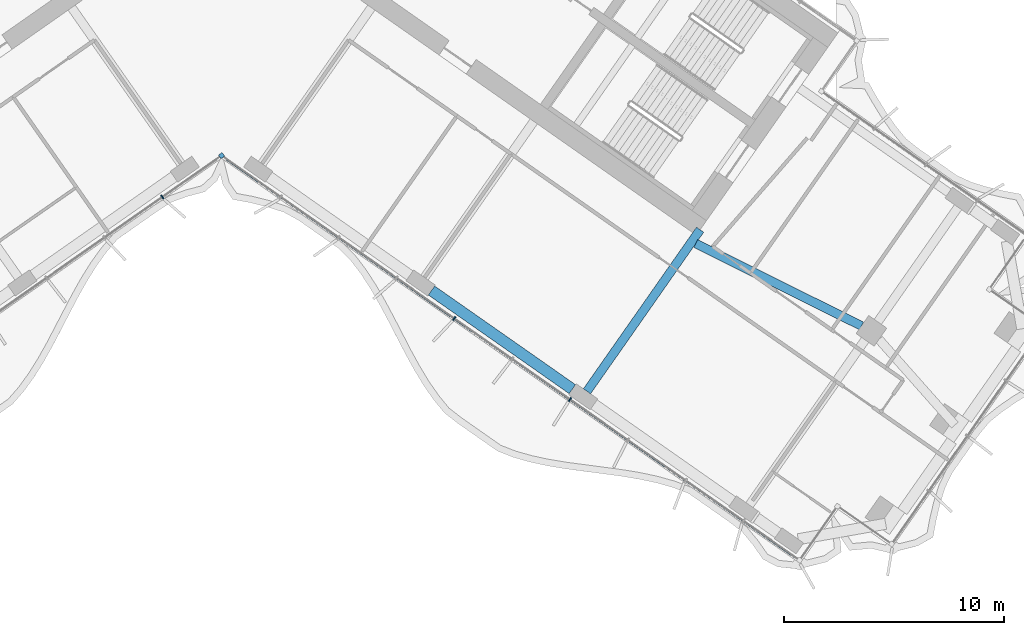
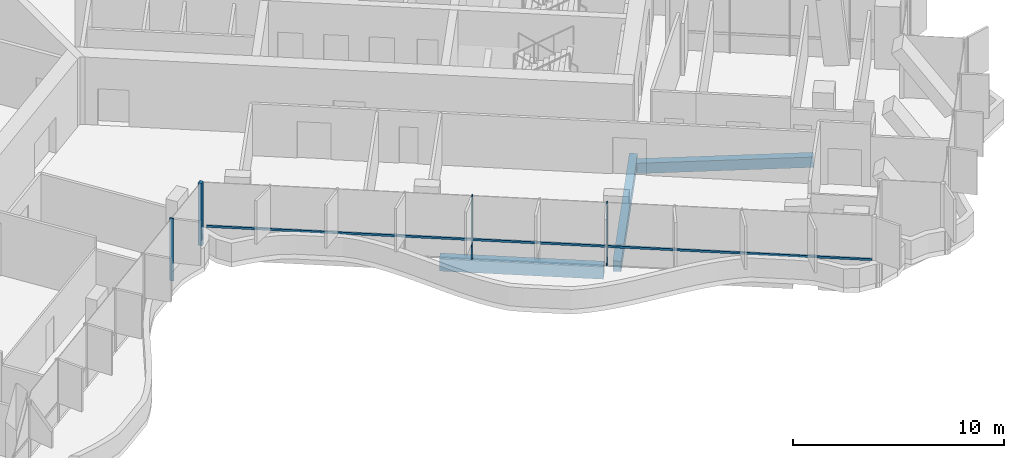
# One storey, part 6 of 23: 5 members, 3 beams, 1 element without a shape of its own.
"""IFC4 building model written with IfcOpenShell, lengths in metres."""

from ifc_helpers import new_model, si_unit, direction, frame, origin, origin_2d, place, context, subcontext, project, spatial, rectangle, extrude, material, material_profile, profile_set, type_object, element, aggregate, save


model = new_model("IFC4")

# Units and contexts
model_context = context("Model", 3, precision=1e-05, world=origin(), true_north=direction((0.0, 1.0)))
body_context = subcontext(model_context, "Body", "Model", "MODEL_VIEW")
ifc_project = project(units=[si_unit("LENGTHUNIT", "METRE"), si_unit("AREAUNIT", "SQUARE_METRE"), si_unit("VOLUMEUNIT", "CUBIC_METRE"), si_unit("PLANEANGLEUNIT", "RADIAN"), si_unit("MASSUNIT", "GRAM", prefix="KILO")], contexts=[model_context])

# Site, building, storey
site_placement = place(None, origin())
site = spatial("IfcSite", under=ifc_project, at=site_placement, CompositionType="ELEMENT")
building_placement = place(site_placement, origin())
building = spatial("IfcBuilding", under=site, at=building_placement, Name="Tel Ilan Convention Tower", CompositionType="ELEMENT")
storey_placement = place(building_placement, frame((0.0, 0.0, 186.60009765625)))
storey = spatial("IfcBuildingStorey", under=building, at=storey_placement, Name="L43", CompositionType="ELEMENT", Elevation=186.60009765625)

# Beams
ifc_material_1 = material(Name="Concrete C40/50", Category="concrete")
ifc_material_profile_1 = material_profile(ifc_material_1, rectangle(XDim=0.39990234375, YDim=0.60009765625, at=origin_2d()), Name="RC 400x600")
ifc_profile_set_1 = profile_set([ifc_material_profile_1], Name="Concrete C40/50")
beam_type_1 = type_object("IfcBeamType", Name="Beam RC 400x600 Concrete C40/50", PredefinedType="BEAM", material=ifc_profile_set_1)
beam_1_placement = place(storey_placement, frame((16.58203125, -23.391357421875, -0.580078125), z_axis=(0.573584999642, 0.819146048141, 0.0), x_axis=(-0.819146048141, 0.573584999642, 0.0)))
element("IfcBeam", 1, at=beam_1_placement, inside=storey, type_object=beam_type_1, Name="L43 beam E-E-F3-core", PredefinedType="BEAM", context=body_context, shape_type="SweptSolid", body=[
    extrude(rectangle(XDim=0.39990234375, YDim=0.60009765625, at=origin_2d()), origin(), (0.0, 0.0, 1.0), 8.949951171875),
])
beam_2_placement = place(storey_placement, frame((21.52099609375, -16.686279296875, -0.580078125), z_axis=(0.895402365524, -0.445257907076, 0.0), x_axis=(0.445257907076, 0.895402365524, 0.0)))
element("IfcBeam", 2, at=beam_2_placement, inside=storey, type_object=beam_type_1, Name="L43 beam E-core-E-M4", PredefinedType="BEAM", context=body_context, shape_type="SweptSolid", body=[
    extrude(rectangle(XDim=0.39990234375, YDim=0.60009765625, at=origin_2d()), origin(), (0.0, 0.0, 1.0), 8.3935546875),
])
ifc_material_2 = material(Name="Concrete C40/50", Category="concrete")
ifc_material_profile_2 = material_profile(ifc_material_2, rectangle(XDim=0.5, YDim=0.699951171875, at=origin_2d()), Name="RC 500x700")
ifc_profile_set_2 = profile_set([ifc_material_profile_2], Name="Concrete C40/50")
beam_type_2 = type_object("IfcBeamType", Name="Beam RC 500x700 Concrete C40/50", PredefinedType="BEAM", material=ifc_profile_set_2)
beam_3_placement = place(storey_placement, frame((9.529052734375, -18.819091796875, -0.630126953125), z_axis=(0.819153977895, -0.573573674866, 0.0), x_axis=(0.573573674866, 0.819153977895, 0.0)))
element("IfcBeam", 3, at=beam_3_placement, inside=storey, type_object=beam_type_2, Name="L43 beam E-E-F2-E-F3", PredefinedType="BEAM", context=body_context, shape_type="SweptSolid", body=[
    extrude(rectangle(XDim=0.5, YDim=0.699951171875, at=origin_2d()), origin(), (0.0, 0.0, 1.0), 7.800048828125),
])

# Curtain wall, members
ifc_material_3 = material(Name="Aluminium, bronze anodised", Category="aluminium")
curtain_wall_type = type_object("IfcCurtainWallType", Name="CW4 STICK CURTAIN WALL, OFFICE TINTED GLASS", PredefinedType="NOTDEFINED", material=ifc_material_3)
curtain_wall_placement = place(storey_placement, origin())
curtain_wall = element("IfcCurtainWall", 4, at=curtain_wall_placement, inside=storey, type_object=curtain_wall_type, Name="Curtain wall CW4-33.02", PredefinedType="NOTDEFINED")
ifc_material_4 = material(Name="Aluminium, bronze anodised", Category="aluminium")
ifc_material_profile_3 = material_profile(ifc_material_4, rectangle(XDim=0.199951171875, YDim=0.199951171875, at=origin_2d()), Name="CW CORNER MULLION 200x200")
ifc_profile_set_3 = profile_set([ifc_material_profile_3], Name="Aluminium, bronze anodised")
member_type_1 = type_object("IfcMemberType", Name="CW CORNER MULLION 200x200", PredefinedType="MULLION", material=ifc_profile_set_3)
member_1_placement = place(storey_placement, frame((0.0, -12.696044921875, 0.0), z_axis=(0.0, 0.0, 1.0), x_axis=(0.819152044289, 0.573576436351, 0.0)))
member_1 = element("IfcMember", 5, at=member_1_placement, type_object=member_type_1, Name="Corner mullion", PredefinedType="MULLION", context=body_context, shape_type="SweptSolid", body=[
    extrude(rectangle(XDim=0.199951171875, YDim=0.199951171875, at=origin_2d()), origin(), (0.0, 0.0, 1.0), 3.619873046875),
])
ifc_material_5 = material(Name="Aluminium, bronze anodised", Category="aluminium")
ifc_material_profile_4 = material_profile(ifc_material_5, rectangle(XDim=0.06005859375, YDim=0.199951171875, at=origin_2d()), Name="CW MULLION 60x200")
ifc_profile_set_4 = profile_set([ifc_material_profile_4], Name="Aluminium, bronze anodised")
member_type_2 = type_object("IfcMemberType", Name="CW MULLION 60x200", PredefinedType="MULLION", material=ifc_profile_set_4)
member_2_placement = place(storey_placement, frame((-2.6826171875, -14.574462890625, 0.0), z_axis=(0.0, 0.0, 1.0), x_axis=(0.819152044289, 0.573576436351, 0.0)))
member_2 = element("IfcMember", 6, at=member_2_placement, type_object=member_type_2, Name="Mullion", PredefinedType="MULLION", context=body_context, shape_type="SweptSolid", body=[
    extrude(rectangle(XDim=0.06005859375, YDim=0.199951171875, at=origin_2d()), origin(), (0.0, 0.0, 1.0), 3.619873046875),
])
member_3_placement = place(storey_placement, frame((10.55810546875, -20.0888671875, 0.0), z_axis=(0.0, 0.0, 1.0), x_axis=(0.819152044289, -0.573576436351, 0.0)))
member_3 = element("IfcMember", 7, at=member_3_placement, type_object=member_type_2, Name="Mullion", PredefinedType="MULLION", context=body_context, shape_type="SweptSolid", body=[
    extrude(rectangle(XDim=0.06005859375, YDim=0.199951171875, at=origin_2d()), origin(), (0.0, 0.0, 1.0), 3.619873046875),
])
member_4_placement = place(storey_placement, frame((15.80859375, -23.765380859375, 0.0), z_axis=(0.0, 0.0, 1.0), x_axis=(0.819152044289, -0.573576436351, 0.0)))
member_4 = element("IfcMember", 8, at=member_4_placement, type_object=member_type_2, Name="Mullion", PredefinedType="MULLION", context=body_context, shape_type="SweptSolid", body=[
    extrude(rectangle(XDim=0.06005859375, YDim=0.199951171875, at=origin_2d()), origin(), (0.0, 0.0, 1.0), 3.619873046875),
])
ifc_material_6 = material(Name="Aluminium, bronze anodised", Category="aluminium")
ifc_material_profile_5 = material_profile(ifc_material_6, rectangle(XDim=0.10009765625, YDim=0.1201171875, at=origin_2d()), Name="CW TRANSOM 100x120")
ifc_profile_set_5 = profile_set([ifc_material_profile_5], Name="Aluminium, bronze anodised")
member_type_3 = type_object("IfcMemberType", Name="CW TRANSOM 100x120", PredefinedType="USERDEFINED", material=ifc_profile_set_5)
member_5_placement = place(storey_placement, frame((0.22119140625, -12.850830078125, 1.099853515625), z_axis=(0.819149281128, -0.573580382534, 0.0), x_axis=(0.573580382534, 0.819149281128, 0.0)))
member_5 = element("IfcMember", 9, at=member_5_placement, type_object=member_type_3, Name="Transom", ObjectType="TRANSOM", PredefinedType="USERDEFINED", context=body_context, shape_type="SweptSolid", body=[
    extrude(rectangle(XDim=0.10009765625, YDim=0.1201171875, at=origin_2d()), origin(), (0.0, 0.0, 1.0), 31.64794921875),
])
aggregate(curtain_wall, [member_2, member_1, member_3, member_4, member_5])

save(model, "model.ifc")
